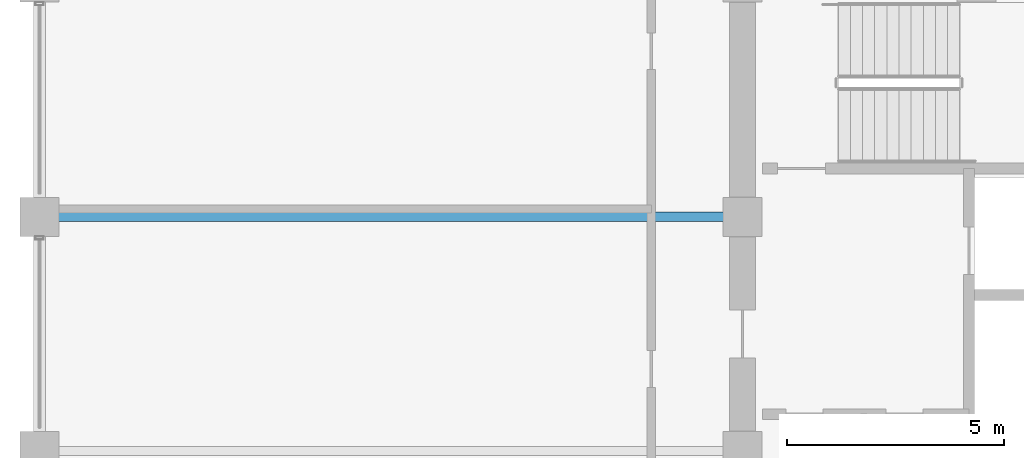
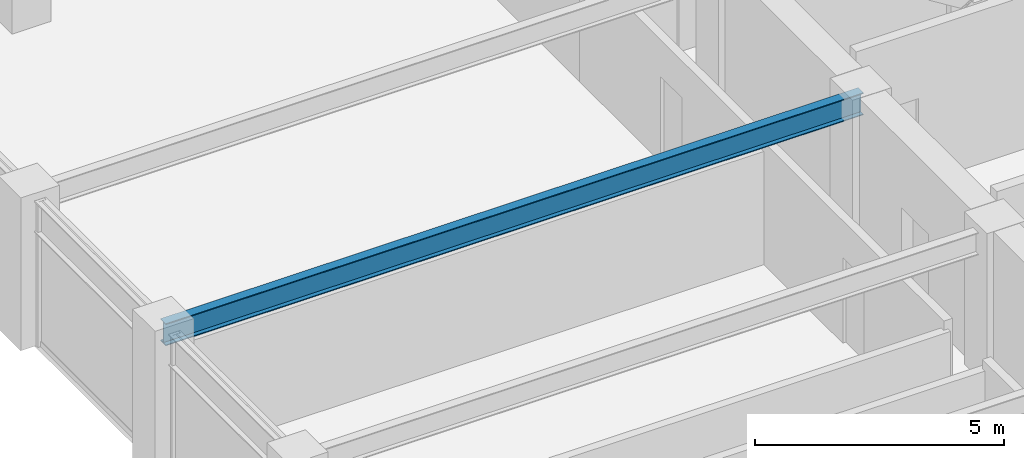
# One storey, part 11 of 32: 1 beam.
"""IFC4 building model written with IfcOpenShell, lengths in metres."""

import ifcopenshell
import ifcopenshell.guid

model = None  # the IFC model being written
_history = None  # IfcOwnerHistory: only IFC2X3 demands one
_inside = {}  # id of a spatial element -> (the spatial element, [elements in it])
_under = {}  # id of a project, library or spatial element -> (it, [spatial elements below it])
_declared = {}  # id of a project -> (the project, [libraries it declares])
_typed = {}  # id of a type object -> (the type object, [elements of that type])
_made_of = {}  # id of a material, layer set ... -> (it, [elements and type objects made of it])


def new_model(schema):
    """Start an empty IFC model of exactly this schema.

    Asked for "IFC4X3", IfcOpenShell would pick the latest addendum, in which some entities
    have other attributes; the version numbers below select the first issue.
    IFC2X3 requires an IfcOwnerHistory on every rooted entity: one is made here for all.
    """
    global model, _history
    if schema == "IFC4X3":
        model = ifcopenshell.file(schema_version=(4, 3, 0, 0))
    else:
        model = ifcopenshell.file(schema=schema)
    _inside.clear()
    _under.clear()
    _declared.clear()
    _typed.clear()
    _made_of.clear()
    _history = None
    if model.schema == "IFC2X3":
        org = make("IfcOrganization", Name="unknown")
        user = make(
            "IfcPersonAndOrganization",
            ThePerson=make("IfcPerson", FamilyName="unknown"),
            TheOrganization=org,
        )
        app = make(
            "IfcApplication",
            ApplicationDeveloper=org,
            Version="unknown",
            ApplicationFullName="unknown",
            ApplicationIdentifier="unknown",
        )
        _history = make(
            "IfcOwnerHistory",
            OwningUser=user,
            OwningApplication=app,
            ChangeAction="ADDED",
            CreationDate=0,
        )
    return model


def make(cls, **values):
    """One entity of the class cls with the attributes given. An attribute that is None is left unset."""
    return model.create_entity(
        cls, **{name: value for name, value in values.items() if value is not None}
    )


def rooted(cls, **values):
    """An entity with a GlobalId (a new one), such as an element, a storey or a relation."""
    return make(cls, GlobalId=ifcopenshell.guid.new(), OwnerHistory=_history, **values)


def si_unit(unit_type, name, prefix=None):
    """IfcSIUnit, for example si_unit("LENGTHUNIT", "METRE", prefix="MILLI")."""
    return make("IfcSIUnit", UnitType=unit_type, Prefix=prefix, Name=name)


def assignment(units):
    """IfcUnitAssignment: the units of a project."""
    return None if units is None else make("IfcUnitAssignment", Units=units)


def point(xyz):
    """IfcCartesianPoint."""
    return None if xyz is None else make("IfcCartesianPoint", Coordinates=xyz)


def direction(xyz):
    """IfcDirection."""
    return None if xyz is None else make("IfcDirection", DirectionRatios=xyz)


def frame(location, z_axis=None, x_axis=None):
    """IfcAxis2Placement3D, a coordinate frame: its origin and axes. An axis left out is left unset."""
    return make(
        "IfcAxis2Placement3D",
        Location=point(location),
        Axis=direction(z_axis),
        RefDirection=direction(x_axis),
    )


def frame_2d(location, x_axis=None):
    """IfcAxis2Placement2D, a coordinate frame in the plane: its origin and x axis."""
    return make(
        "IfcAxis2Placement2D", Location=point(location), RefDirection=direction(x_axis)
    )


def origin():
    """The frame at (0, 0, 0) with its axes left unset."""
    return frame((0.0, 0.0, 0.0))


def origin_2d():
    """The frame at (0, 0) in the plane with its x axis left unset."""
    return frame_2d((0.0, 0.0))


def place(relative_to, where):
    """IfcLocalPlacement: puts the frame where relative to a parent placement (None: the world)."""
    return make(
        "IfcLocalPlacement", PlacementRelTo=relative_to, RelativePlacement=where
    )


def context(
    kind, dimensions, precision=None, world=None, true_north=None, identifier=None
):
    """IfcGeometricRepresentationContext, for example the 3D "Model" context."""
    return make(
        "IfcGeometricRepresentationContext",
        ContextIdentifier=identifier,
        ContextType=kind,
        CoordinateSpaceDimension=dimensions,
        Precision=precision,
        WorldCoordinateSystem=world,
        TrueNorth=true_north,
    )


def subcontext(parent, identifier, kind, view, scale=None):
    """IfcGeometricRepresentationSubContext, for example "Body" below "Model"."""
    return make(
        "IfcGeometricRepresentationSubContext",
        ContextIdentifier=identifier,
        ContextType=kind,
        ParentContext=parent,
        TargetScale=scale,
        TargetView=view,
    )


def project(units=None, contexts=None):
    """IfcProject with its units and contexts."""
    return rooted(
        "IfcProject",
        Name="project",
        RepresentationContexts=contexts,
        UnitsInContext=assignment(units),
    )


def spatial(cls, under=None, at=None, **own):
    """A site, building, storey or space (cls), placed at a placement, below another one or the project."""
    s = rooted(cls, ObjectPlacement=at, **own)
    if under is not None:
        _under.setdefault(under.id(), (under, []))[1].append(s)
    return s


def profile(cls, at=None, kind="AREA", **sizes):
    """A parametric profile (cls). Its sizes go by their IFC names, for example OverallWidth=200.0."""
    return make(cls, ProfileType=kind, Position=at, **sizes)


def i_section(**sizes):
    """IfcIShapeProfileDef."""
    return profile("IfcIShapeProfileDef", **sizes)


def extrude(swept, where, along, depth):
    """IfcExtrudedAreaSolid: the profile swept, set in the frame where, extruded along a direction by depth."""
    return make(
        "IfcExtrudedAreaSolid",
        SweptArea=swept,
        Position=where,
        ExtrudedDirection=direction(along),
        Depth=depth,
    )


def shape(context_of_items, identifier, shape_type, items):
    """IfcShapeRepresentation: the items that make up one representation, for example the "Body"."""
    return make(
        "IfcShapeRepresentation",
        ContextOfItems=context_of_items,
        RepresentationIdentifier=identifier,
        RepresentationType=shape_type,
        Items=items,
    )


def material(Name=None, Category=None):
    """IfcMaterial."""
    return make("IfcMaterial", Name=Name, Category=Category)


def material_profile(
    of_material, cross_section, Name=None, Category=None, Priority=None
):
    """IfcMaterialProfile: a cross section and its material."""
    return make(
        "IfcMaterialProfile",
        Name=Name,
        Material=of_material,
        Profile=cross_section,
        Priority=Priority,
        Category=Category,
    )


def profile_set(profiles, Name=None, composite=None):
    """IfcMaterialProfileSet."""
    return make(
        "IfcMaterialProfileSet",
        Name=Name,
        MaterialProfiles=profiles,
        CompositeProfile=composite,
    )


def made_of(thing, what):
    """Note that an element or type object is made of a material, layer set ...; save() writes the relation."""
    if what is not None:
        _made_of.setdefault(what.id(), (what, []))[1].append(thing)
    return thing


def type_object(cls, material=None, **own):
    """A type object (cls), such as IfcWallType, which elements share."""
    return made_of(rooted(cls, **own), material)


def element(
    cls,
    number,
    at=None,
    inside=None,
    cuts=None,
    type_object=None,
    material=None,
    context=None,
    identifier="Body",
    shape_type=None,
    held_by="IfcProductDefinitionShape",
    body=None,
    shapes=None,
    **own,
):
    """One element of the class cls, such as IfcWall. Its Tag is "e" and its number.

    at: its placement. inside: the storey or other place that contains it. cuts: it is an
    opening in that element (IfcRelVoidsElement). A single representation is given by context,
    identifier, shape_type and body (its items); several are given by shapes. held_by: the class
    of the entity that holds the representations. save() writes the other relations.
    """
    e = rooted(cls, Tag="e%d" % number, ObjectPlacement=at, **own)
    if body is not None:
        shapes = [shape(context, identifier, shape_type, body)]
    if shapes is not None:
        e.Representation = make(held_by, Representations=shapes)
    if inside is not None:
        _inside.setdefault(inside.id(), (inside, []))[1].append(e)
    if cuts is not None:
        rooted(
            "IfcRelVoidsElement", RelatingBuildingElement=cuts, RelatedOpeningElement=e
        )
    if type_object is not None:
        _typed.setdefault(type_object.id(), (type_object, []))[1].append(e)
    return made_of(e, material)


def aggregate(whole, parts):
    """IfcRelAggregates: a whole, such as a stair, and the parts it consists of."""
    return rooted("IfcRelAggregates", RelatingObject=whole, RelatedObjects=parts)


def save(model, path):
    """Write the relations noted so far, then the file.

    IfcRelAggregates (storeys below a building ...), IfcRelContainedInSpatialStructure (elements
    in a storey), IfcRelDefinesByType, IfcRelAssociatesMaterial and IfcRelDeclares: one each for
    every whole, place, type object, material and project.
    """
    for whole, parts in _under.values():
        aggregate(whole, parts)
    for where, things in _inside.values():
        rooted(
            "IfcRelContainedInSpatialStructure",
            RelatedElements=things,
            RelatingStructure=where,
        )
    for kind, things in _typed.values():
        rooted("IfcRelDefinesByType", RelatedObjects=things, RelatingType=kind)
    for what, things in _made_of.values():
        rooted("IfcRelAssociatesMaterial", RelatedObjects=things, RelatingMaterial=what)
    for by, libraries in _declared.values():
        rooted("IfcRelDeclares", RelatingContext=by, RelatedDefinitions=libraries)
    model.write(path)


model = new_model("IFC4")

# Units and contexts
model_context = context("Model", 3, precision=1e-05, world=origin(), true_north=direction((0.0, 1.0)))
body_context = subcontext(model_context, "Body", "Model", "MODEL_VIEW")
ifc_project = project(units=[si_unit("LENGTHUNIT", "METRE"), si_unit("AREAUNIT", "SQUARE_METRE"), si_unit("VOLUMEUNIT", "CUBIC_METRE"), si_unit("PLANEANGLEUNIT", "RADIAN"), si_unit("MASSUNIT", "GRAM", prefix="KILO")], contexts=[model_context])

# Site, building, storey
site_placement = place(None, origin())
site = spatial("IfcSite", under=ifc_project, at=site_placement, CompositionType="ELEMENT")
building_placement = place(site_placement, origin())
building = spatial("IfcBuilding", under=site, at=building_placement, Name="Surkhivell Harbour Commons", CompositionType="ELEMENT")
storey_placement = place(building_placement, frame((0.0, 0.0, 208.5)))
storey = spatial("IfcBuildingStorey", under=building, at=storey_placement, Name="L54", CompositionType="ELEMENT", Elevation=208.5)

# Beam
ifc_material = material(Name="Steel S355", Category="steel")
ifc_material_profile = material_profile(ifc_material, i_section(OverallWidth=0.2119140625, OverallDepth=0.5439453125, WebThickness=0.0126953125, FlangeThickness=0.021240234375, at=origin_2d()), Name="UB533x210x122")
ifc_profile_set = profile_set([ifc_material_profile], Name="Steel S355")
beam_type = type_object("IfcBeamType", Name="BM-GRD-533A", PredefinedType="BEAM", material=ifc_profile_set)
beam_placement = place(storey_placement, frame((-27.0, 5.39990234375, 3.298095703125), z_axis=(1.0, 0.0, 0.0), x_axis=(0.0, 1.0, 0.0)))
element("IfcBeam", 1, at=beam_placement, inside=storey, type_object=beam_type, Name="L54 Floor Girder (-27.0,5.4)", PredefinedType="BEAM", context=body_context, shape_type="SweptSolid", body=[
    extrude(i_section(OverallWidth=0.2119140625, OverallDepth=0.5439453125, WebThickness=0.0126953125, FlangeThickness=0.021240234375, at=origin_2d()), origin(), (0.0, 0.0, 1.0), 16.199951171875),
])

save(model, "model.ifc")
